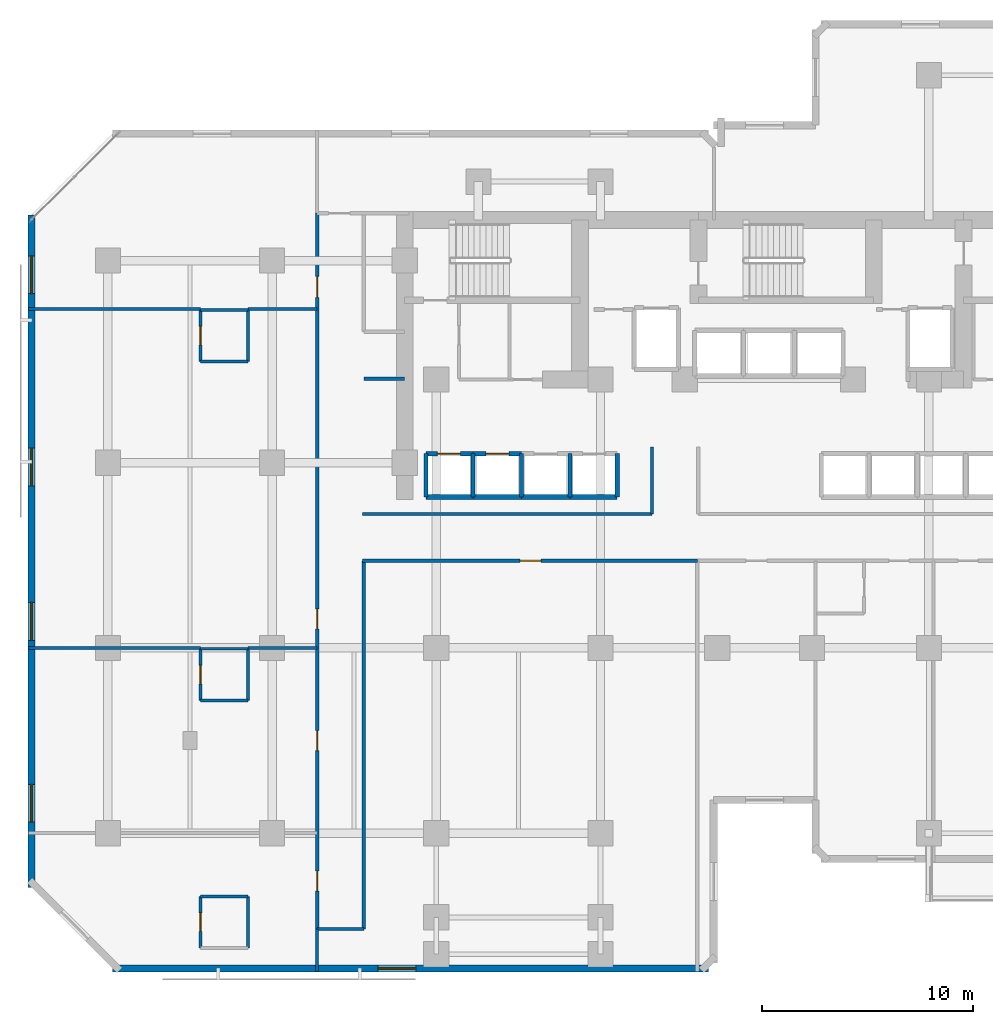
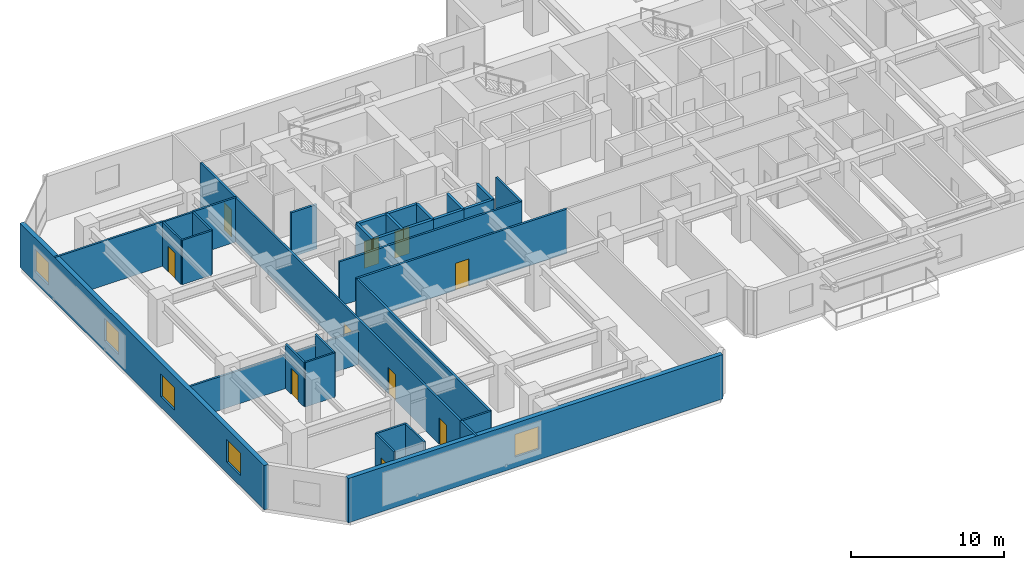
# One storey, part 6 of 12: 36 walls, 10 doors, 5 windows, 15 openings.
"""IFC4 building model written with IfcOpenShell, lengths in metres."""

from ifc_helpers import new_model, si_unit, direction, frame, frame_2d, origin, place, context, subcontext, project, spatial, rectangle, extrude, material, layer, layer_set, type_object, element, fill, save


model = new_model("IFC4")

# Units and contexts
model_context = context("Model", 3, precision=1e-05, world=origin(), true_north=direction((0.0, 1.0)))
body_context = subcontext(model_context, "Body", "Model", "MODEL_VIEW")
ifc_project = project(units=[si_unit("LENGTHUNIT", "METRE"), si_unit("AREAUNIT", "SQUARE_METRE"), si_unit("VOLUMEUNIT", "CUBIC_METRE"), si_unit("PLANEANGLEUNIT", "RADIAN"), si_unit("MASSUNIT", "GRAM", prefix="KILO")], contexts=[model_context])

# Site, building, storey
site_placement = place(None, origin())
site = spatial("IfcSite", under=ifc_project, at=site_placement, CompositionType="ELEMENT")
building_placement = place(site_placement, origin())
building = spatial("IfcBuilding", under=site, at=building_placement, Name="Kestravale Grand Hotel", CompositionType="ELEMENT")
storey_placement = place(building_placement, frame((0.0, 0.0, 118.39990234375)))
storey = spatial("IfcBuildingStorey", under=building, at=storey_placement, Name="L29", CompositionType="ELEMENT", Elevation=118.39990234375)

# Wall, opening, window
ifc_material_1 = material(Name="Precast concrete f'c 45 MPa", Category="concrete")
ifc_layer_1 = layer(ifc_material_1, 0.340087890625)
ifc_layer_set_1 = layer_set([ifc_layer_1], Name="EW-PREC-340")
wall_type_1 = type_object("IfcWallType", Name="EW-PREC-340", PredefinedType="SOLIDWALL", material=ifc_layer_set_1)
wall_1_placement = place(storey_placement, frame((8.030029296875, 4.77001953125, 0.0), z_axis=(0.0, 0.0, 1.0), x_axis=(1.0, 0.0, 0.0)))
wall_1 = element("IfcWall", 1, at=wall_1_placement, inside=storey, type_object=wall_type_1, Name="L29 fluted precast facade wall 1", PredefinedType="SOLIDWALL", context=body_context, shape_type="SweptSolid", body=[
    extrude(rectangle(XDim=28.2900390625, YDim=0.340087890625, at=frame_2d((14.14501953125, 0.0))), origin(), (0.0, 0.0, 1.0), 3.5400390625),
])
opening_1_placement = place(wall_1_placement, frame((12.594970703125, 0.0, 0.85009765625)))
opening_1 = element("IfcOpeningElement", 2, at=opening_1_placement, cuts=wall_1, Name="Opening W-GUEST-1800", PredefinedType="OPENING", context=body_context, shape_type="SweptSolid", body=[
    extrude(rectangle(XDim=1.800048828125, YDim=1.800048828125, at=frame_2d((0.89990234375, 0.89990234375))), frame((0.0, 0.179931640625, 0.0), z_axis=(0.0, -1.0, 0.0), x_axis=(1.0, 0.0, 0.0)), (0.0, 0.0, 1.0), 0.360107421875),
])
ifc_material_2 = material(Name="Insulated low-E double glazing in aluminium frame", Category="aluminium")
window_type = type_object("IfcWindowType", Name="W-GUEST-1800", PartitioningType="DOUBLE_PANEL_VERTICAL", PredefinedType="WINDOW", material=ifc_material_2)
window_1_placement = place(opening_1_placement, origin())
window_1 = element("IfcWindow", 3, at=window_1_placement, inside=storey, type_object=window_type, Name="L29 exterior window 1.1", OverallHeight=1.800048828125, OverallWidth=1.800048828125, PartitioningType="SINGLE_PANEL", PredefinedType="WINDOW", context=body_context, shape_type="SweptSolid", body=[
    extrude(rectangle(XDim=1.800048828125, YDim=1.800048828125, at=frame_2d((0.89990234375, 0.89990234375))), frame((0.0, 0.030029296875, 0.0), z_axis=(0.0, -1.0, 0.0), x_axis=(1.0, 0.0, 0.0)), (0.0, 0.0, 1.0), 0.06005859375),
])
fill(opening_1, window_1)

# Wall, openings, windows
wall_2_placement = place(storey_placement, frame((4.169921875, 40.570068359375, 0.0), z_axis=(0.0, 0.0, 1.0), x_axis=(0.0, -1.0, 0.0)))
wall_2 = element("IfcWall", 4, at=wall_2_placement, inside=storey, type_object=wall_type_1, Name="L29 fluted precast facade wall 19", PredefinedType="SOLIDWALL", context=body_context, shape_type="SweptSolid", body=[
    extrude(rectangle(XDim=31.940185546875, YDim=0.340087890625, at=frame_2d((15.97021484375, 0.0))), origin(), (0.0, 0.0, 1.0), 3.5400390625),
])
opening_2_placement = place(wall_2_placement, frame((1.9423828125, 0.0, 0.85009765625)))
opening_2 = element("IfcOpeningElement", 5, at=opening_2_placement, cuts=wall_2, Name="Opening W-GUEST-1800", PredefinedType="OPENING", context=body_context, shape_type="SweptSolid", body=[
    extrude(rectangle(XDim=1.800048828125, YDim=1.800048828125, at=frame_2d((0.89990234375, 0.89990234375))), frame((0.0, 0.179931640625, 0.0), z_axis=(0.0, -1.0, 0.0), x_axis=(1.0, 0.0, 0.0)), (0.0, 0.0, 1.0), 0.360107421875),
])
opening_3_placement = place(wall_2_placement, frame((11.077392578125, 0.0, 0.85009765625)))
opening_3 = element("IfcOpeningElement", 6, at=opening_3_placement, cuts=wall_2, Name="Opening W-GUEST-1800", PredefinedType="OPENING", context=body_context, shape_type="SweptSolid", body=[
    extrude(rectangle(XDim=1.800048828125, YDim=1.800048828125, at=frame_2d((0.89990234375, 0.89990234375))), frame((0.0, 0.179931640625, 0.0), z_axis=(0.0, -1.0, 0.0), x_axis=(1.0, 0.0, 0.0)), (0.0, 0.0, 1.0), 0.360107421875),
])
opening_4_placement = place(wall_2_placement, frame((18.41259765625, 0.0, 0.85009765625)))
opening_4 = element("IfcOpeningElement", 7, at=opening_4_placement, cuts=wall_2, Name="Opening W-GUEST-1800", PredefinedType="OPENING", context=body_context, shape_type="SweptSolid", body=[
    extrude(rectangle(XDim=1.800048828125, YDim=1.800048828125, at=frame_2d((0.89990234375, 0.89990234375))), frame((0.0, 0.179931640625, 0.0), z_axis=(0.0, -1.0, 0.0), x_axis=(1.0, 0.0, 0.0)), (0.0, 0.0, 1.0), 0.360107421875),
])
opening_5_placement = place(wall_2_placement, frame((27.047607421875, 0.0, 0.85009765625)))
opening_5 = element("IfcOpeningElement", 8, at=opening_5_placement, cuts=wall_2, Name="Opening W-GUEST-1800", PredefinedType="OPENING", context=body_context, shape_type="SweptSolid", body=[
    extrude(rectangle(XDim=1.800048828125, YDim=1.800048828125, at=frame_2d((0.89990234375, 0.89990234375))), frame((0.0, 0.179931640625, 0.0), z_axis=(0.0, -1.0, 0.0), x_axis=(1.0, 0.0, 0.0)), (0.0, 0.0, 1.0), 0.360107421875),
])
window_2_placement = place(opening_2_placement, origin())
window_2 = element("IfcWindow", 9, at=window_2_placement, inside=storey, type_object=window_type, Name="L29 exterior window 19.1", OverallHeight=1.800048828125, OverallWidth=1.800048828125, PartitioningType="SINGLE_PANEL", PredefinedType="WINDOW", context=body_context, shape_type="SweptSolid", body=[
    extrude(rectangle(XDim=1.800048828125, YDim=1.800048828125, at=frame_2d((0.89990234375, 0.89990234375))), frame((0.0, 0.030029296875, 0.0), z_axis=(0.0, -1.0, 0.0), x_axis=(1.0, 0.0, 0.0)), (0.0, 0.0, 1.0), 0.06005859375),
])
fill(opening_2, window_2)
window_3_placement = place(opening_3_placement, origin())
window_3 = element("IfcWindow", 10, at=window_3_placement, inside=storey, type_object=window_type, Name="L29 exterior window 19.2", OverallHeight=1.800048828125, OverallWidth=1.800048828125, PartitioningType="SINGLE_PANEL", PredefinedType="WINDOW", context=body_context, shape_type="SweptSolid", body=[
    extrude(rectangle(XDim=1.800048828125, YDim=1.800048828125, at=frame_2d((0.89990234375, 0.89990234375))), frame((0.0, 0.030029296875, 0.0), z_axis=(0.0, -1.0, 0.0), x_axis=(1.0, 0.0, 0.0)), (0.0, 0.0, 1.0), 0.06005859375),
])
fill(opening_3, window_3)
window_4_placement = place(opening_4_placement, origin())
window_4 = element("IfcWindow", 11, at=window_4_placement, inside=storey, type_object=window_type, Name="L29 exterior window 19.3", OverallHeight=1.800048828125, OverallWidth=1.800048828125, PartitioningType="SINGLE_PANEL", PredefinedType="WINDOW", context=body_context, shape_type="SweptSolid", body=[
    extrude(rectangle(XDim=1.800048828125, YDim=1.800048828125, at=frame_2d((0.89990234375, 0.89990234375))), frame((0.0, 0.030029296875, 0.0), z_axis=(0.0, -1.0, 0.0), x_axis=(1.0, 0.0, 0.0)), (0.0, 0.0, 1.0), 0.06005859375),
])
fill(opening_4, window_4)
window_5_placement = place(opening_5_placement, origin())
window_5 = element("IfcWindow", 12, at=window_5_placement, inside=storey, type_object=window_type, Name="L29 exterior window 19.4", OverallHeight=1.800048828125, OverallWidth=1.800048828125, PartitioningType="SINGLE_PANEL", PredefinedType="WINDOW", context=body_context, shape_type="SweptSolid", body=[
    extrude(rectangle(XDim=1.800048828125, YDim=1.800048828125, at=frame_2d((0.89990234375, 0.89990234375))), frame((0.0, 0.030029296875, 0.0), z_axis=(0.0, -1.0, 0.0), x_axis=(1.0, 0.0, 0.0)), (0.0, 0.0, 1.0), 0.06005859375),
])
fill(opening_5, window_5)

# Walls
ifc_material_3 = material(Name="Acoustic fire-rated gypsum board partition", Category="other")
ifc_layer_2 = layer(ifc_material_3, 0.159912109375)
ifc_layer_set_2 = layer_set([ifc_layer_2], Name="IW-CORR-160")
wall_type_2 = type_object("IfcWallType", Name="IW-CORR-160", PredefinedType="PARTITIONING", material=ifc_layer_set_2)
wall_3_placement = place(storey_placement, frame((19.89990234375, 26.360107421875, 0.0), z_axis=(0.0, 0.0, 1.0), x_axis=(1.0, 0.0, 0.0)))
element("IfcWall", 13, at=wall_3_placement, inside=storey, type_object=wall_type_2, Name="W-L29-CW-N", PredefinedType="PARTITIONING", context=body_context, shape_type="SweptSolid", body=[
    extrude(rectangle(XDim=13.75, YDim=0.159912109375, at=frame_2d((6.875, 0.0))), origin(), (0.0, 0.0, 1.0), 3.5400390625),
])
wall_4_placement = place(storey_placement, frame((33.64990234375, 26.360107421875, 0.0), z_axis=(0.0, 0.0, 1.0), x_axis=(0.0, 1.0, 0.0)))
element("IfcWall", 14, at=wall_4_placement, inside=storey, type_object=wall_type_2, Name="W-L29-TRUNK-W", PredefinedType="PARTITIONING", context=body_context, shape_type="SweptSolid", body=[
    extrude(rectangle(XDim=3.18994140625, YDim=0.159912109375, at=frame_2d((1.594970703125, 0.0))), origin(), (0.0, 0.0, 1.0), 3.5400390625),
])

# Wall, opening, door
wall_5_placement = place(storey_placement, frame((19.89990234375, 24.139892578125, 0.0), z_axis=(0.0, 0.0, 1.0), x_axis=(1.0, 0.0, 0.0)))
wall_5 = element("IfcWall", 15, at=wall_5_placement, inside=storey, type_object=wall_type_2, Name="W-L29-CW-S", PredefinedType="PARTITIONING", context=body_context, shape_type="SweptSolid", body=[
    extrude(rectangle(XDim=15.900146484375, YDim=0.159912109375, at=frame_2d((7.9501953125, 0.0))), origin(), (0.0, 0.0, 1.0), 3.5400390625),
])
opening_6_placement = place(wall_5_placement, frame((7.47998046875, 0.0, 0.0)))
opening_6 = element("IfcOpeningElement", 16, at=opening_6_placement, cuts=wall_5, Name="Opening D-GUEST-1000", PredefinedType="OPENING", context=body_context, shape_type="SweptSolid", body=[
    extrude(rectangle(XDim=1.0, YDim=2.14990234375, at=frame_2d((0.5, 1.074951171875))), frame((0.0, 0.08984375, 0.0), z_axis=(0.0, -1.0, 0.0), x_axis=(1.0, 0.0, 0.0)), (0.0, 0.0, 1.0), 0.179931640625),
])
ifc_material_4 = material(Name="Accessible walnut veneer hotel entrance fire door", Category="wood")
door_type_1 = type_object("IfcDoorType", Name="D-GUEST-1000", OperationType="NOTDEFINED", PredefinedType="DOOR", material=ifc_material_4)
door_1_placement = place(opening_6_placement, origin())
door_1 = element("IfcDoor", 17, at=door_1_placement, inside=storey, type_object=door_type_1, Name="D-L29-AMW", OperationType="SINGLE_SWING_LEFT", OverallHeight=2.14990234375, OverallWidth=1.0, PredefinedType="DOOR", context=body_context, shape_type="SweptSolid", body=[
    extrude(rectangle(XDim=1.0, YDim=2.14990234375, at=frame_2d((0.5, 1.074951171875))), frame((0.0, 0.02490234375, 0.0), z_axis=(0.0, -1.0, 0.0), x_axis=(1.0, 0.0, 0.0)), (0.0, 0.0, 1.0), 0.050048828125),
])
fill(opening_6, door_1)

# Wall, openings, doors
wall_6_placement = place(storey_placement, frame((17.739990234375, 6.64990234375, 0.0), z_axis=(0.0, 0.0, 1.0), x_axis=(0.0, 1.0, 0.0)))
wall_6 = element("IfcWall", 18, at=wall_6_placement, inside=storey, type_object=wall_type_2, Name="W-L29-SW-W", PredefinedType="PARTITIONING", context=body_context, shape_type="SweptSolid", body=[
    extrude(rectangle(XDim=34.0, YDim=0.159912109375, at=frame_2d((17.0, 0.0))), origin(), (0.0, 0.0, 1.0), 3.5400390625),
])
opening_7_placement = place(wall_6_placement, frame((1.800048828125, 0.0, 0.0)))
opening_7 = element("IfcOpeningElement", 19, at=opening_7_placement, cuts=wall_6, Name="Opening D-GUEST-950", PredefinedType="OPENING", context=body_context, shape_type="SweptSolid", body=[
    extrude(rectangle(XDim=0.949951171875, YDim=2.10009765625, at=frame_2d((0.47509765625, 1.050048828125))), frame((0.0, 0.08984375, 0.0), z_axis=(0.0, -1.0, 0.0), x_axis=(1.0, 0.0, 0.0)), (0.0, 0.0, 1.0), 0.179931640625),
])
opening_8_placement = place(wall_6_placement, frame((8.47509765625, 0.0, 0.0)))
opening_8 = element("IfcOpeningElement", 20, at=opening_8_placement, cuts=wall_6, Name="Opening D-GUEST-950", PredefinedType="OPENING", context=body_context, shape_type="SweptSolid", body=[
    extrude(rectangle(XDim=0.949951171875, YDim=2.10009765625, at=frame_2d((0.47509765625, 1.050048828125))), frame((0.0, 0.08984375, 0.0), z_axis=(0.0, -1.0, 0.0), x_axis=(1.0, 0.0, 0.0)), (0.0, 0.0, 1.0), 0.179931640625),
])
opening_9_placement = place(wall_6_placement, frame((14.254638671875, 0.0, 0.0)))
opening_9 = element("IfcOpeningElement", 21, at=opening_9_placement, cuts=wall_6, Name="Opening D-GUEST-950", PredefinedType="OPENING", context=body_context, shape_type="SweptSolid", body=[
    extrude(rectangle(XDim=0.949951171875, YDim=2.10009765625, at=frame_2d((0.47509765625, 1.050048828125))), frame((0.0, 0.08984375, 0.0), z_axis=(0.0, -1.0, 0.0), x_axis=(1.0, 0.0, 0.0)), (0.0, 0.0, 1.0), 0.179931640625),
])
opening_10_placement = place(wall_6_placement, frame((30.0, 0.0, 0.0)))
opening_10 = element("IfcOpeningElement", 22, at=opening_10_placement, cuts=wall_6, Name="Opening D-GUEST-1000", PredefinedType="OPENING", context=body_context, shape_type="SweptSolid", body=[
    extrude(rectangle(XDim=1.0, YDim=2.14990234375, at=frame_2d((0.5, 1.074951171875))), frame((0.0, 0.08984375, 0.0), z_axis=(0.0, -1.0, 0.0), x_axis=(1.0, 0.0, 0.0)), (0.0, 0.0, 1.0), 0.179931640625),
])
door_2_placement = place(opening_10_placement, origin())
door_2 = element("IfcDoor", 23, at=door_2_placement, inside=storey, type_object=door_type_1, Name="D-L29-AMWW", OperationType="SINGLE_SWING_LEFT", OverallHeight=2.14990234375, OverallWidth=1.0, PredefinedType="DOOR", context=body_context, shape_type="SweptSolid", body=[
    extrude(rectangle(XDim=1.0, YDim=2.14990234375, at=frame_2d((0.5, 1.074951171875))), frame((0.0, 0.02490234375, 0.0), z_axis=(0.0, -1.0, 0.0), x_axis=(1.0, 0.0, 0.0)), (0.0, 0.0, 1.0), 0.050048828125),
])
fill(opening_10, door_2)
ifc_material_5 = material(Name="Walnut veneer hotel guestroom entrance fire door", Category="wood")
door_type_2 = type_object("IfcDoorType", Name="D-GUEST-950", OperationType="NOTDEFINED", PredefinedType="DOOR", material=ifc_material_5)
door_3_placement = place(opening_7_placement, origin())
door_3 = element("IfcDoor", 24, at=door_3_placement, inside=storey, type_object=door_type_2, Name="D-L29-U04-ENT", OperationType="SINGLE_SWING_RIGHT", OverallHeight=2.10009765625, OverallWidth=0.949951171875, PredefinedType="DOOR", context=body_context, shape_type="SweptSolid", body=[
    extrude(rectangle(XDim=0.949951171875, YDim=2.10009765625, at=frame_2d((0.47509765625, 1.050048828125))), frame((0.0, 0.02490234375, 0.0), z_axis=(0.0, -1.0, 0.0), x_axis=(1.0, 0.0, 0.0)), (0.0, 0.0, 1.0), 0.050048828125),
])
fill(opening_7, door_3)
door_4_placement = place(opening_8_placement, origin())
door_4 = element("IfcDoor", 25, at=door_4_placement, inside=storey, type_object=door_type_2, Name="D-L29-U05-ENT", OperationType="SINGLE_SWING_RIGHT", OverallHeight=2.10009765625, OverallWidth=0.949951171875, PredefinedType="DOOR", context=body_context, shape_type="SweptSolid", body=[
    extrude(rectangle(XDim=0.949951171875, YDim=2.10009765625, at=frame_2d((0.47509765625, 1.050048828125))), frame((0.0, 0.02490234375, 0.0), z_axis=(0.0, -1.0, 0.0), x_axis=(1.0, 0.0, 0.0)), (0.0, 0.0, 1.0), 0.050048828125),
])
fill(opening_8, door_4)
door_5_placement = place(opening_9_placement, origin())
door_5 = element("IfcDoor", 26, at=door_5_placement, inside=storey, type_object=door_type_2, Name="D-L29-U06-ENT", OperationType="SINGLE_SWING_RIGHT", OverallHeight=2.10009765625, OverallWidth=0.949951171875, PredefinedType="DOOR", context=body_context, shape_type="SweptSolid", body=[
    extrude(rectangle(XDim=0.949951171875, YDim=2.10009765625, at=frame_2d((0.47509765625, 1.050048828125))), frame((0.0, 0.02490234375, 0.0), z_axis=(0.0, -1.0, 0.0), x_axis=(1.0, 0.0, 0.0)), (0.0, 0.0, 1.0), 0.050048828125),
])
fill(opening_9, door_5)

# Walls
wall_7_placement = place(storey_placement, frame((19.9599609375, 6.64990234375, 0.0), z_axis=(0.0, 0.0, 1.0), x_axis=(0.0, 1.0, 0.0)))
element("IfcWall", 27, at=wall_7_placement, inside=storey, type_object=wall_type_2, Name="W-L29-SW-E", PredefinedType="PARTITIONING", context=body_context, shape_type="SweptSolid", body=[
    extrude(rectangle(XDim=17.489990234375, YDim=0.159912109375, at=frame_2d((8.7451171875, 0.0))), origin(), (0.0, 0.0, 1.0), 3.5400390625),
])
wall_8_placement = place(storey_placement, frame((19.9599609375, 32.780029296875, 0.0), z_axis=(0.0, 0.0, 1.0), x_axis=(1.0, 0.0, 0.0)))
element("IfcWall", 28, at=wall_8_placement, inside=storey, type_object=wall_type_2, Name="W-L29-SW-CS", PredefinedType="PARTITIONING", context=body_context, shape_type="SweptSolid", body=[
    extrude(rectangle(XDim=1.93994140625, YDim=0.159912109375, at=frame_2d((0.969970703125, 0.0))), origin(), (0.0, 0.0, 1.0), 3.5400390625),
])

# Wall, opening, door
ifc_material_6 = material(Name="Moisture-resistant tile-backer plumbing chase wall", Category="other")
ifc_layer_3 = layer(ifc_material_6, 0.139892578125)
ifc_layer_set_3 = layer_set([ifc_layer_3], Name="IW-PLB-140")
wall_type_3 = type_object("IfcWallType", Name="IW-PLB-140", PredefinedType="PLUMBINGWALL", material=ifc_layer_set_3)
wall_9_placement = place(storey_placement, frame((12.199951171875, 5.75, 0.0), z_axis=(0.0, 0.0, 1.0), x_axis=(0.0, 1.0, 0.0)))
wall_9 = element("IfcWall", 29, at=wall_9_placement, inside=storey, type_object=wall_type_3, Name="W-L29-U04-BW", PredefinedType="PLUMBINGWALL", context=body_context, shape_type="SweptSolid", body=[
    extrude(rectangle(XDim=2.449951171875, YDim=0.139892578125, at=frame_2d((1.22509765625, 0.0))), origin(), (0.0, 0.0, 1.0), 3.5400390625),
])
opening_11_placement = place(wall_9_placement, frame((0.784912109375, 0.0, 0.0)))
opening_11 = element("IfcOpeningElement", 30, at=opening_11_placement, cuts=wall_9, Name="Opening D-BATH-880", PredefinedType="OPENING", context=body_context, shape_type="SweptSolid", body=[
    extrude(rectangle(XDim=0.8798828125, YDim=2.050048828125, at=frame_2d((0.43994140625, 1.02490234375))), frame((0.0, 0.079833984375, 0.0), z_axis=(0.0, -1.0, 0.0), x_axis=(1.0, 0.0, 0.0)), (0.0, 0.0, 1.0), 0.159912109375),
])
ifc_material_7 = material(Name="Moisture-sealed walnut en-suite bathroom door", Category="wood")
door_type_3 = type_object("IfcDoorType", Name="D-BATH-880", OperationType="NOTDEFINED", PredefinedType="DOOR", material=ifc_material_7)
door_6_placement = place(opening_11_placement, origin())
door_6 = element("IfcDoor", 31, at=door_6_placement, inside=storey, type_object=door_type_3, Name="D-L29-U04-BATH", OperationType="SINGLE_SWING_LEFT", OverallHeight=2.050048828125, OverallWidth=0.8798828125, PredefinedType="DOOR", context=body_context, shape_type="SweptSolid", body=[
    extrude(rectangle(XDim=0.8798828125, YDim=2.050048828125, at=frame_2d((0.43994140625, 1.02490234375))), frame((0.0, 0.02490234375, 0.0), z_axis=(0.0, -1.0, 0.0), x_axis=(1.0, 0.0, 0.0)), (0.0, 0.0, 1.0), 0.050048828125),
])
fill(opening_11, door_6)

# Walls
wall_10_placement = place(storey_placement, frame((14.449951171875, 5.75, 0.0), z_axis=(0.0, 0.0, 1.0), x_axis=(0.0, 1.0, 0.0)))
element("IfcWall", 32, at=wall_10_placement, inside=storey, type_object=wall_type_3, Name="W-L29-U04-BE", PredefinedType="PLUMBINGWALL", context=body_context, shape_type="SweptSolid", body=[
    extrude(rectangle(XDim=2.449951171875, YDim=0.139892578125, at=frame_2d((1.22509765625, 0.0))), origin(), (0.0, 0.0, 1.0), 3.5400390625),
])
wall_11_placement = place(storey_placement, frame((12.199951171875, 8.199951171875, 0.0), z_axis=(0.0, 0.0, 1.0), x_axis=(1.0, 0.0, 0.0)))
element("IfcWall", 33, at=wall_11_placement, inside=storey, type_object=wall_type_3, Name="W-L29-U04-BN", PredefinedType="PLUMBINGWALL", context=body_context, shape_type="SweptSolid", body=[
    extrude(rectangle(XDim=2.25, YDim=0.139892578125, at=frame_2d((1.125, 0.0))), origin(), (0.0, 0.0, 1.0), 3.5400390625),
])

# Wall, opening, door
wall_12_placement = place(storey_placement, frame((12.199951171875, 17.510009765625, 0.0), z_axis=(0.0, 0.0, 1.0), x_axis=(0.0, 1.0, 0.0)))
wall_12 = element("IfcWall", 34, at=wall_12_placement, inside=storey, type_object=wall_type_3, Name="W-L29-U05-BW", PredefinedType="PLUMBINGWALL", context=body_context, shape_type="SweptSolid", body=[
    extrude(rectangle(XDim=2.449951171875, YDim=0.139892578125, at=frame_2d((1.22509765625, 0.0))), origin(), (0.0, 0.0, 1.0), 3.5400390625),
])
opening_12_placement = place(wall_12_placement, frame((0.784912109375, 0.0, 0.0)))
opening_12 = element("IfcOpeningElement", 35, at=opening_12_placement, cuts=wall_12, Name="Opening D-BATH-880", PredefinedType="OPENING", context=body_context, shape_type="SweptSolid", body=[
    extrude(rectangle(XDim=0.8798828125, YDim=2.050048828125, at=frame_2d((0.43994140625, 1.02490234375))), frame((0.0, 0.079833984375, 0.0), z_axis=(0.0, -1.0, 0.0), x_axis=(1.0, 0.0, 0.0)), (0.0, 0.0, 1.0), 0.159912109375),
])
door_7_placement = place(opening_12_placement, origin())
door_7 = element("IfcDoor", 36, at=door_7_placement, inside=storey, type_object=door_type_3, Name="D-L29-U05-BATH", OperationType="SINGLE_SWING_LEFT", OverallHeight=2.050048828125, OverallWidth=0.8798828125, PredefinedType="DOOR", context=body_context, shape_type="SweptSolid", body=[
    extrude(rectangle(XDim=0.8798828125, YDim=2.050048828125, at=frame_2d((0.43994140625, 1.02490234375))), frame((0.0, 0.02490234375, 0.0), z_axis=(0.0, -1.0, 0.0), x_axis=(1.0, 0.0, 0.0)), (0.0, 0.0, 1.0), 0.050048828125),
])
fill(opening_12, door_7)

# Walls
wall_13_placement = place(storey_placement, frame((14.449951171875, 17.510009765625, 0.0), z_axis=(0.0, 0.0, 1.0), x_axis=(0.0, 1.0, 0.0)))
element("IfcWall", 37, at=wall_13_placement, inside=storey, type_object=wall_type_3, Name="W-L29-U05-BE", PredefinedType="PLUMBINGWALL", context=body_context, shape_type="SweptSolid", body=[
    extrude(rectangle(XDim=2.449951171875, YDim=0.139892578125, at=frame_2d((1.22509765625, 0.0))), origin(), (0.0, 0.0, 1.0), 3.5400390625),
])
wall_14_placement = place(storey_placement, frame((12.199951171875, 17.510009765625, 0.0), z_axis=(0.0, 0.0, 1.0), x_axis=(1.0, 0.0, 0.0)))
element("IfcWall", 38, at=wall_14_placement, inside=storey, type_object=wall_type_3, Name="W-L29-U05-BS", PredefinedType="PLUMBINGWALL", context=body_context, shape_type="SweptSolid", body=[
    extrude(rectangle(XDim=2.25, YDim=0.139892578125, at=frame_2d((1.125, 0.0))), origin(), (0.0, 0.0, 1.0), 3.5400390625),
])
wall_15_placement = place(storey_placement, frame((12.199951171875, 19.9599609375, 0.0), z_axis=(0.0, 0.0, 1.0), x_axis=(1.0, 0.0, 0.0)))
element("IfcWall", 39, at=wall_15_placement, inside=storey, type_object=wall_type_3, Name="W-L29-U05-BN", PredefinedType="PLUMBINGWALL", context=body_context, shape_type="SweptSolid", body=[
    extrude(rectangle(XDim=2.25, YDim=0.139892578125, at=frame_2d((1.125, 0.0))), origin(), (0.0, 0.0, 1.0), 2.67919921875),
])

# Wall, opening, door
wall_16_placement = place(storey_placement, frame((12.199951171875, 33.610107421875, 0.0), z_axis=(0.0, 0.0, 1.0), x_axis=(0.0, 1.0, 0.0)))
wall_16 = element("IfcWall", 40, at=wall_16_placement, inside=storey, type_object=wall_type_3, Name="W-L29-U06-BW", PredefinedType="PLUMBINGWALL", context=body_context, shape_type="SweptSolid", body=[
    extrude(rectangle(XDim=2.449951171875, YDim=0.139892578125, at=frame_2d((1.22509765625, 0.0))), origin(), (0.0, 0.0, 1.0), 3.5400390625),
])
opening_13_placement = place(wall_16_placement, frame((0.784912109375, 0.0, 0.0)))
opening_13 = element("IfcOpeningElement", 41, at=opening_13_placement, cuts=wall_16, Name="Opening D-BATH-880", PredefinedType="OPENING", context=body_context, shape_type="SweptSolid", body=[
    extrude(rectangle(XDim=0.8798828125, YDim=2.050048828125, at=frame_2d((0.43994140625, 1.02490234375))), frame((0.0, 0.079833984375, 0.0), z_axis=(0.0, -1.0, 0.0), x_axis=(1.0, 0.0, 0.0)), (0.0, 0.0, 1.0), 0.159912109375),
])
door_8_placement = place(opening_13_placement, origin())
door_8 = element("IfcDoor", 42, at=door_8_placement, inside=storey, type_object=door_type_3, Name="D-L29-U06-BATH", OperationType="SINGLE_SWING_LEFT", OverallHeight=2.050048828125, OverallWidth=0.8798828125, PredefinedType="DOOR", context=body_context, shape_type="SweptSolid", body=[
    extrude(rectangle(XDim=0.8798828125, YDim=2.050048828125, at=frame_2d((0.43994140625, 1.02490234375))), frame((0.0, 0.02490234375, 0.0), z_axis=(0.0, -1.0, 0.0), x_axis=(1.0, 0.0, 0.0)), (0.0, 0.0, 1.0), 0.050048828125),
])
fill(opening_13, door_8)

# Walls
wall_17_placement = place(storey_placement, frame((14.449951171875, 33.610107421875, 0.0), z_axis=(0.0, 0.0, 1.0), x_axis=(0.0, 1.0, 0.0)))
element("IfcWall", 43, at=wall_17_placement, inside=storey, type_object=wall_type_3, Name="W-L29-U06-BE", PredefinedType="PLUMBINGWALL", context=body_context, shape_type="SweptSolid", body=[
    extrude(rectangle(XDim=2.449951171875, YDim=0.139892578125, at=frame_2d((1.22509765625, 0.0))), origin(), (0.0, 0.0, 1.0), 3.5400390625),
])
for number, where, z_axis, x_axis, name in (
    (44, (12.199951171875, 33.610107421875, 0.0), (0.0, 0.0, 1.0), (1.0, 0.0, 0.0), "W-L29-U06-BS"),
    (45, (12.199951171875, 36.06005859375, 0.0), (0.0, 0.0, 1.0), (1.0, 0.0, 0.0), "W-L29-U06-BN"),
):
    element("IfcWall", number, at=place(storey_placement, frame(where, z_axis=z_axis, x_axis=x_axis)), inside=storey, type_object=wall_type_3, Name=name, PredefinedType="PLUMBINGWALL", context=body_context, shape_type="SweptSolid", body=[
        extrude(rectangle(XDim=2.25, YDim=0.139892578125, at=frame_2d((1.125, 0.0))), origin(), (0.0, 0.0, 1.0), 3.5400390625),
    ])
ifc_material_8 = material(Name="Concrete f'c 45 MPa", Category="concrete")
ifc_layer_4 = layer(ifc_material_8, 0.199951171875)
ifc_layer_set_4 = layer_set([ifc_layer_4], Name="IW-SHAFT-200")
wall_type_4 = type_object("IfcWallType", Name="IW-SHAFT-200", PredefinedType="SHEAR", material=ifc_layer_set_4)
for number, where, z_axis, x_axis, name in (
    (46, (22.905029296875, 27.169921875, 0.0), (0.0, 0.0, 1.0), (0.0, 1.0, 0.0), "L29 PL-L1 west shaft wall"),
    (47, (25.14990234375, 27.169921875, 0.0), (0.0, 0.0, 1.0), (0.0, 1.0, 0.0), "L29 PL-L2 west shaft wall"),
    (48, (27.449951171875, 27.169921875, 0.0), (0.0, 0.0, 1.0), (0.0, 1.0, 0.0), "L29 PL-L3 west shaft wall"),
    (49, (29.75, 27.169921875, 0.0), (0.0, 0.0, 1.0), (0.0, 1.0, 0.0), "L29 PL-L4 west shaft wall"),
    (50, (31.9951171875, 27.169921875, 0.0), (0.0, 0.0, 1.0), (0.0, 1.0, 0.0), "L29 PL-L4 east shaft wall"),
):
    element("IfcWall", number, at=place(storey_placement, frame(where, z_axis=z_axis, x_axis=x_axis)), inside=storey, type_object=wall_type_4, Name=name, PredefinedType="SHEAR", context=body_context, shape_type="SweptSolid", body=[
        extrude(rectangle(XDim=2.06005859375, YDim=0.199951171875, at=frame_2d((1.030029296875, 0.0))), origin(), (0.0, 0.0, 1.0), 3.800048828125),
    ])

# Wall, opening, door
ifc_material_9 = material(Name="Concrete f'c 45 MPa", Category="concrete")
ifc_layer_5 = layer(ifc_material_9, 0.219970703125)
ifc_layer_set_5 = layer_set([ifc_layer_5], Name="IW-SHAFT-220")
wall_type_5 = type_object("IfcWallType", Name="IW-SHAFT-220", PredefinedType="SHEAR", material=ifc_layer_set_5)
wall_18_placement = place(storey_placement, frame((22.905029296875, 29.22998046875, 0.0), z_axis=(0.0, 0.0, 1.0), x_axis=(1.0, 0.0, 0.0)))
wall_18 = element("IfcWall", 51, at=wall_18_placement, inside=storey, type_object=wall_type_5, Name="L29 PL-L1 north shaft wall", PredefinedType="SHEAR", context=body_context, shape_type="SweptSolid", body=[
    extrude(rectangle(XDim=2.244873046875, YDim=0.219970703125, at=frame_2d((1.12255859375, 0.0))), origin(), (0.0, 0.0, 1.0), 3.800048828125),
])
opening_14_placement = place(wall_18_placement, frame((0.544921875, 0.0, 0.0)))
opening_14 = element("IfcOpeningElement", 52, at=opening_14_placement, cuts=wall_18, Name="Opening LD-PAX-1100", PredefinedType="OPENING", context=body_context, shape_type="SweptSolid", body=[
    extrude(rectangle(XDim=1.10009765625, YDim=2.14990234375, at=frame_2d((0.550048828125, 1.074951171875))), frame((0.0, 0.119873046875, 0.0), z_axis=(0.0, -1.0, 0.0), x_axis=(1.0, 0.0, 0.0)), (0.0, 0.0, 1.0), 0.239990234375),
])
ifc_material_10 = material(Name="Champagne-bronze center-opening sliding elevator landing door", Category="steel")
door_type_4 = type_object("IfcDoorType", Name="LD-PAX-1100", OperationType="NOTDEFINED", PredefinedType="DOOR", material=ifc_material_10)
door_9_placement = place(opening_14_placement, origin())
door_9 = element("IfcDoor", 53, at=door_9_placement, inside=storey, type_object=door_type_4, Name="L29 PL-L1 elevator landing sliding door", OperationType="DOUBLE_DOOR_SLIDING", OverallHeight=2.14990234375, OverallWidth=1.10009765625, PredefinedType="DOOR", context=body_context, shape_type="SweptSolid", body=[
    extrude(rectangle(XDim=1.10009765625, YDim=2.14990234375, at=frame_2d((0.550048828125, 1.074951171875))), frame((0.0, 0.02490234375, 0.0), z_axis=(0.0, -1.0, 0.0), x_axis=(1.0, 0.0, 0.0)), (0.0, 0.0, 1.0), 0.050048828125),
])
fill(opening_14, door_9)

# Wall
wall_19_placement = place(storey_placement, frame((22.905029296875, 27.169921875, 0.0), z_axis=(0.0, 0.0, 1.0), x_axis=(1.0, 0.0, 0.0)))
element("IfcWall", 54, at=wall_19_placement, inside=storey, type_object=wall_type_5, Name="L29 PL-L1 south shaft wall", PredefinedType="SHEAR", context=body_context, shape_type="SweptSolid", body=[
    extrude(rectangle(XDim=2.244873046875, YDim=0.219970703125, at=frame_2d((1.12255859375, 0.0))), origin(), (0.0, 0.0, 1.0), 3.800048828125),
])

# Wall, opening, door
wall_20_placement = place(storey_placement, frame((25.14990234375, 29.22998046875, 0.0), z_axis=(0.0, 0.0, 1.0), x_axis=(1.0, 0.0, 0.0)))
wall_20 = element("IfcWall", 55, at=wall_20_placement, inside=storey, type_object=wall_type_5, Name="L29 PL-L2 north shaft wall", PredefinedType="SHEAR", context=body_context, shape_type="SweptSolid", body=[
    extrude(rectangle(XDim=2.300048828125, YDim=0.219970703125, at=frame_2d((1.14990234375, 0.0))), origin(), (0.0, 0.0, 1.0), 3.800048828125),
])
opening_15_placement = place(wall_20_placement, frame((0.60009765625, 0.0, 0.0)))
opening_15 = element("IfcOpeningElement", 56, at=opening_15_placement, cuts=wall_20, Name="Opening LD-PAX-1100", PredefinedType="OPENING", context=body_context, shape_type="SweptSolid", body=[
    extrude(rectangle(XDim=1.10009765625, YDim=2.14990234375, at=frame_2d((0.550048828125, 1.074951171875))), frame((0.0, 0.119873046875, 0.0), z_axis=(0.0, -1.0, 0.0), x_axis=(1.0, 0.0, 0.0)), (0.0, 0.0, 1.0), 0.239990234375),
])
door_10_placement = place(opening_15_placement, origin())
door_10 = element("IfcDoor", 57, at=door_10_placement, inside=storey, type_object=door_type_4, Name="L29 PL-L2 elevator landing sliding door", OperationType="DOUBLE_DOOR_SLIDING", OverallHeight=2.14990234375, OverallWidth=1.10009765625, PredefinedType="DOOR", context=body_context, shape_type="SweptSolid", body=[
    extrude(rectangle(XDim=1.10009765625, YDim=2.14990234375, at=frame_2d((0.550048828125, 1.074951171875))), frame((0.0, 0.02490234375, 0.0), z_axis=(0.0, -1.0, 0.0), x_axis=(1.0, 0.0, 0.0)), (0.0, 0.0, 1.0), 0.050048828125),
])
fill(opening_15, door_10)

# Walls
for number, where, z_axis, x_axis, name in (
    (58, (25.14990234375, 27.169921875, 0.0), (0.0, 0.0, 1.0), (1.0, 0.0, 0.0), "L29 PL-L2 south shaft wall"),
    (59, (27.449951171875, 27.169921875, 0.0), (0.0, 0.0, 1.0), (1.0, 0.0, 0.0), "L29 PL-L3 south shaft wall"),
):
    element("IfcWall", number, at=place(storey_placement, frame(where, z_axis=z_axis, x_axis=x_axis)), inside=storey, type_object=wall_type_5, Name=name, PredefinedType="SHEAR", context=body_context, shape_type="SweptSolid", body=[
        extrude(rectangle(XDim=2.300048828125, YDim=0.219970703125, at=frame_2d((1.14990234375, 0.0))), origin(), (0.0, 0.0, 1.0), 3.800048828125),
    ])
wall_21_placement = place(storey_placement, frame((29.75, 27.169921875, 0.0), z_axis=(0.0, 0.0, 1.0), x_axis=(1.0, 0.0, 0.0)))
element("IfcWall", 60, at=wall_21_placement, inside=storey, type_object=wall_type_5, Name="L29 PL-L4 south shaft wall", PredefinedType="SHEAR", context=body_context, shape_type="SweptSolid", body=[
    extrude(rectangle(XDim=2.2451171875, YDim=0.219970703125, at=frame_2d((1.12255859375, 0.0))), origin(), (0.0, 0.0, 1.0), 3.800048828125),
])
ifc_material_11 = material(Name="Double-stud STC 52 acoustic demising partition", Category="other")
ifc_layer_6 = layer(ifc_material_11, 0.14990234375)
ifc_layer_set_6 = layer_set([ifc_layer_6], Name="IW-UNIT-150")
wall_type_6 = type_object("IfcWallType", Name="IW-UNIT-150", PredefinedType="PARTITIONING", material=ifc_layer_set_6)
wall_22_placement = place(storey_placement, frame((17.739990234375, 6.64990234375, 0.0), z_axis=(0.0, 0.0, 1.0), x_axis=(1.0, 0.0, 0.0)))
element("IfcWall", 61, at=wall_22_placement, inside=storey, type_object=wall_type_6, Name="W-L29-SW-S", PredefinedType="PARTITIONING", context=body_context, shape_type="SweptSolid", body=[
    extrude(rectangle(XDim=2.219970703125, YDim=0.14990234375, at=frame_2d((1.10986328125, 0.0))), origin(), (0.0, 0.0, 1.0), 3.5400390625),
])
wall_23_placement = place(storey_placement, frame((17.739990234375, 4.6201171875, 0.0), z_axis=(0.0, 0.0, 1.0), x_axis=(0.0, 1.0, 0.0)))
element("IfcWall", 62, at=wall_23_placement, inside=storey, type_object=wall_type_6, Name="W-L29-SW-EXT", PredefinedType="PARTITIONING", context=body_context, shape_type="SweptSolid", body=[
    extrude(rectangle(XDim=2.02978515625, YDim=0.14990234375, at=frame_2d((1.014892578125, 0.0))), origin(), (0.0, 0.0, 1.0), 3.5400390625),
])
wall_24_placement = place(storey_placement, frame((4.02001953125, 20.0, 0.0), z_axis=(0.0, 0.0, 1.0), x_axis=(1.0, 0.0, 0.0)))
element("IfcWall", 63, at=wall_24_placement, inside=storey, type_object=wall_type_6, Name="W-L29-WW-2", PredefinedType="PARTITIONING", context=body_context, shape_type="SweptSolid", body=[
    extrude(rectangle(XDim=8.179931640625, YDim=0.14990234375, at=frame_2d((4.08984375, 0.0))), origin(), (0.0, 0.0, 1.0), 2.67919921875),
])
wall_25_placement = place(storey_placement, frame((14.449951171875, 20.0, 0.0), z_axis=(0.0, 0.0, 1.0), x_axis=(1.0, 0.0, 0.0)))
element("IfcWall", 64, at=wall_25_placement, inside=storey, type_object=wall_type_6, Name="W-L29-WW-2", PredefinedType="PARTITIONING", context=body_context, shape_type="SweptSolid", body=[
    extrude(rectangle(XDim=3.2900390625, YDim=0.14990234375, at=frame_2d((1.64501953125, 0.0))), origin(), (0.0, 0.0, 1.0), 2.67919921875),
])
wall_26_placement = place(storey_placement, frame((4.02001953125, 36.10009765625, 0.0), z_axis=(0.0, 0.0, 1.0), x_axis=(1.0, 0.0, 0.0)))
element("IfcWall", 65, at=wall_26_placement, inside=storey, type_object=wall_type_6, Name="W-L29-WW-3", PredefinedType="PARTITIONING", context=body_context, shape_type="SweptSolid", body=[
    extrude(rectangle(XDim=8.179931640625, YDim=0.14990234375, at=frame_2d((4.08984375, 0.0))), origin(), (0.0, 0.0, 1.0), 3.5400390625),
])
wall_27_placement = place(storey_placement, frame((14.449951171875, 36.10009765625, 0.0), z_axis=(0.0, 0.0, 1.0), x_axis=(1.0, 0.0, 0.0)))
element("IfcWall", 66, at=wall_27_placement, inside=storey, type_object=wall_type_6, Name="W-L29-WW-3", PredefinedType="PARTITIONING", context=body_context, shape_type="SweptSolid", body=[
    extrude(rectangle(XDim=3.2900390625, YDim=0.14990234375, at=frame_2d((1.64501953125, 0.0))), origin(), (0.0, 0.0, 1.0), 3.5400390625),
])

save(model, "model.ifc")
